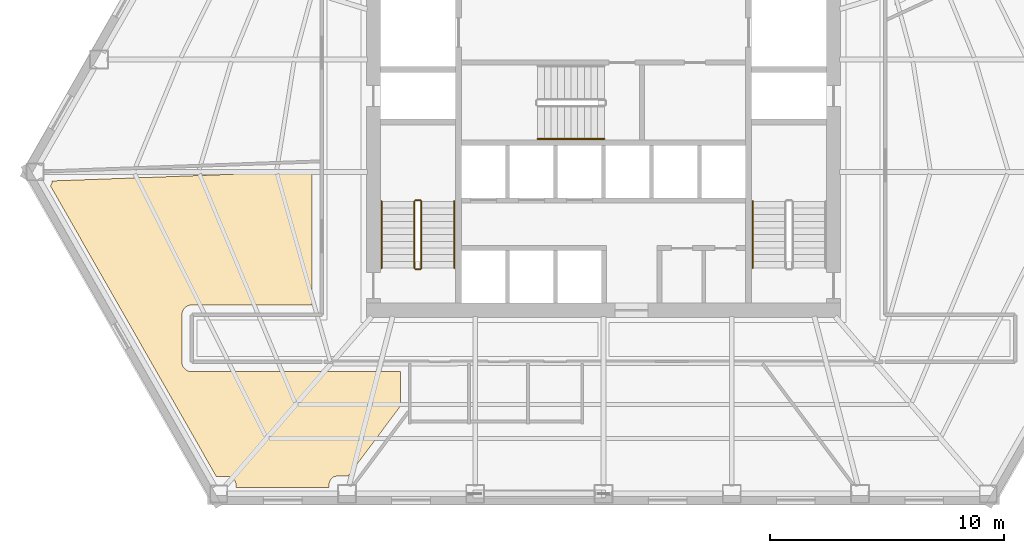
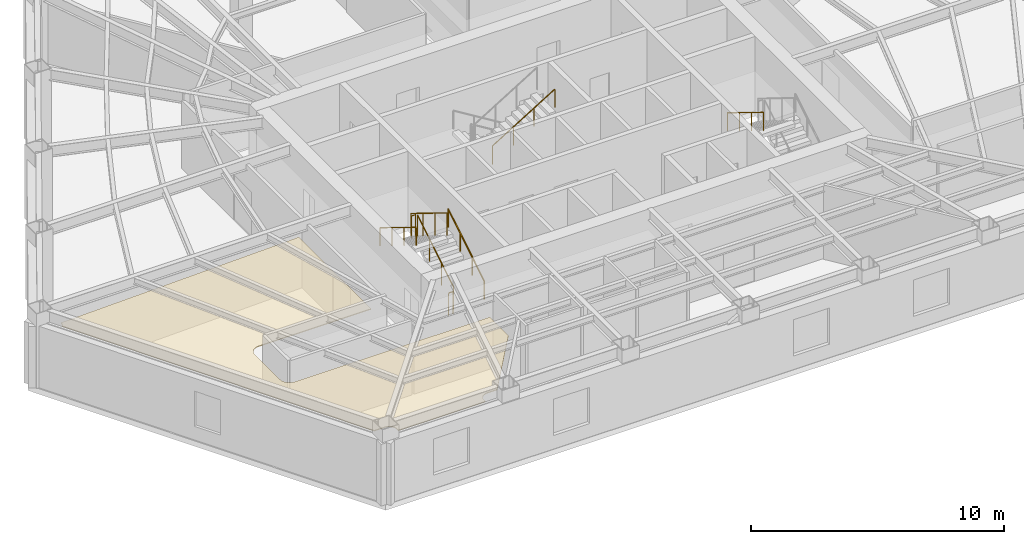
# One storey, part 10 of 12: 8 railings, 1 covering.
"""IFC4 building model written with IfcOpenShell, lengths in metres."""

from ifc_helpers import new_model, si_unit, direction, frame, origin, origin_2d, place, context, subcontext, project, spatial, polyline, circle, outline, extrude, material, layer, layer_set, type_object, element, save


model = new_model("IFC4")

# Units and contexts
model_context = context("Model", 3, precision=1e-05, world=origin(), true_north=direction((0.0, 1.0)))
body_context = subcontext(model_context, "Body", "Model", "MODEL_VIEW")
ifc_project = project(units=[si_unit("LENGTHUNIT", "METRE"), si_unit("AREAUNIT", "SQUARE_METRE"), si_unit("VOLUMEUNIT", "CUBIC_METRE"), si_unit("PLANEANGLEUNIT", "RADIAN"), si_unit("MASSUNIT", "GRAM", prefix="KILO")], contexts=[model_context])

# Site, building, storey
site_placement = place(None, origin())
site = spatial("IfcSite", under=ifc_project, at=site_placement, CompositionType="ELEMENT")
building_placement = place(site_placement, origin())
building = spatial("IfcBuilding", under=site, at=building_placement, Name="Kavelnor Concourse Tower", CompositionType="ELEMENT")
storey_placement = place(building_placement, frame((0.0, 0.0, 21.39990234375)))
storey = spatial("IfcBuildingStorey", under=building, at=storey_placement, Name="L05", CompositionType="ELEMENT", Elevation=21.39990234375)

# Covering
ifc_material_1 = material(Name="Mineral fibre acoustic ceiling tile")
ifc_layer = layer(ifc_material_1, 0.0400390625, Name="Mineral fibre acoustic ceiling tile")
ifc_layer_set = layer_set([ifc_layer], Name="Mineral fibre acoustic ceiling tile")
covering_type = type_object("IfcCoveringType", Name="COV-CEILING-ACOUSTIC", PredefinedType="CEILING", material=ifc_layer_set)
covering_placement = place(storey_placement, frame((0.0, 0.0, 2.75)))
element("IfcCovering", 1, at=covering_placement, inside=storey, type_object=covering_type, Name="L05 Suspended Acoustic Ceiling", PredefinedType="CEILING", context=body_context, shape_type="SweptSolid", body=[
    extrude(outline(polyline([(14.412353515625, 14.6259765625), (14.430419921875, 14.65625), (14.445556640625, 14.688232421875), (14.45751953125, 14.7216796875), (14.466064453125, 14.755859375), (14.47119140625, 14.791015625), (14.47265625, 14.81787109375), (14.47265625, 14.818115234375), (25.5576171875, 15.226318359375), (25.5576171875, 9.5224609375), (20.422119140625, 9.5224609375), (20.388916015625, 9.52099609375), (20.347900390625, 9.514892578125), (20.3076171875, 9.504638671875), (20.2685546875, 9.49072265625), (20.23095703125, 9.472900390625), (20.1953125, 9.45166015625), (20.162109375, 9.427001953125), (20.13134765625, 9.39892578125), (20.103515625, 9.368408203125), (20.07861328125, 9.3349609375), (20.057373046875, 9.29931640625), (20.03955078125, 9.26171875), (20.025634765625, 9.222900390625), (20.015380859375, 9.1826171875), (20.009521484375, 9.1416015625), (20.0078125, 9.1083984375), (20.0078125, 7.091796875), (20.009521484375, 7.05859375), (20.015380859375, 7.017578125), (20.025634765625, 6.977294921875), (20.03955078125, 6.938232421875), (20.057373046875, 6.900634765625), (20.07861328125, 6.864990234375), (20.103515625, 6.831787109375), (20.13134765625, 6.801025390625), (20.162109375, 6.773193359375), (20.1953125, 6.748291015625), (20.23095703125, 6.72705078125), (20.2685546875, 6.709228515625), (20.3076171875, 6.6953125), (20.347900390625, 6.685302734375), (20.388916015625, 6.67919921875), (20.422119140625, 6.677490234375), (25.98828125, 6.677490234375), (26.021484375, 6.67919921875), (26.030029296875, 6.680419921875), (26.03857421875, 6.67919921875), (26.07177734375, 6.677490234375), (29.3349609375, 6.677490234375), (29.3349609375, 5.208740234375), (27.1015625, 2.222900390625), (26.64306640625, 2.222900390625), (26.615966796875, 2.2216796875), (26.5810546875, 2.21630859375), (26.546630859375, 2.207763671875), (26.513427734375, 2.19580078125), (26.4814453125, 2.180908203125), (26.451171875, 2.16259765625), (26.422607421875, 2.1416015625), (26.396484375, 2.11767578125), (26.372802734375, 2.091552734375), (26.3515625, 2.06298828125), (26.33349609375, 2.03271484375), (26.318359375, 2.000732421875), (26.306396484375, 1.967529296875), (26.2978515625, 1.93310546875), (26.29248046875, 1.898193359375), (26.291259765625, 1.87109375), (26.291259765625, 1.742919921875), (22.31689453125, 1.742919921875), (22.31689453125, 1.851318359375), (22.315673828125, 1.878173828125), (22.310302734375, 1.9130859375), (22.3017578125, 1.947509765625), (22.289794921875, 1.980712890625), (22.27490234375, 2.0126953125), (22.256591796875, 2.043212890625), (22.235595703125, 2.071533203125), (22.211669921875, 2.09765625), (22.185546875, 2.12158203125), (22.156982421875, 2.142578125), (22.126708984375, 2.160888671875), (22.0947265625, 2.17578125), (22.0615234375, 2.187744140625), (22.027099609375, 2.1962890625), (21.9921875, 2.20166015625), (21.965087890625, 2.202880859375), (21.476806640625, 2.202880859375), (14.3974609375, 14.606201171875), (14.412353515625, 14.6259765625)])), origin(), (0.0, 0.0, 1.0), 0.0400390625),
])

# Railings
ifc_material_2 = material(Name="Steel Grade 350", Category="steel")
railing_type_1 = type_object("IfcRailingType", Name="RLG-GUARD-1100", PredefinedType="GUARDRAIL", material=ifc_material_2)
railing_1_placement = place(storey_placement, frame((30.22998046875, 11.10009765625, 0.175048828125)))
element("IfcRailing", 2, at=railing_1_placement, inside=storey, type_object=railing_type_1, Name="L05 ST1 stair guard 1", PredefinedType="GUARDRAIL", context=body_context, shape_type="SweptSolid", body=[
    extrude(circle(Radius=0.02392578125, at=origin_2d()), frame((0.0, 0.0, 1.076171875), z_axis=(0.0, 0.852159232446, 0.523282564737), x_axis=(-1.0, 0.0, 0.0)), (0.0, 0.0, 1.0), 3.34423828125),
    extrude(circle(Radius=0.02099609375, at=origin_2d()), origin(), (0.0, 0.0, 1.0), 1.052001953125),
    extrude(circle(Radius=0.02099609375, at=origin_2d()), frame((0.0, 0.949951171875, 0.583251953125)), (0.0, 0.0, 1.0), 1.052001953125),
    extrude(circle(Radius=0.02099609375, at=origin_2d()), frame((0.0, 1.89990234375, 1.166748046875)), (0.0, 0.0, 1.0), 1.052001953125),
    extrude(circle(Radius=0.02099609375, at=origin_2d()), frame((0.0, 2.849853515625, 1.75)), (0.0, 0.0, 1.0), 1.052001953125),
])
railing_2_placement = place(storey_placement, frame((30.179931640625, 14.0, 1.925048828125)))
element("IfcRailing", 3, at=railing_2_placement, inside=storey, type_object=railing_type_1, Name="L05 ST1 stair guard 2", PredefinedType="GUARDRAIL", context=body_context, shape_type="SweptSolid", body=[
    extrude(circle(Radius=0.02392578125, at=origin_2d()), frame((0.0, 0.0, 1.076171875), z_axis=(-1.0, 0.0, 0.0), x_axis=(0.0, -1.0, 0.0)), (0.0, 0.0, 1.0), 0.199951171875),
    extrude(circle(Radius=0.02099609375, at=origin_2d()), origin(), (0.0, 0.0, 1.0), 1.052001953125),
    extrude(circle(Radius=0.02099609375, at=origin_2d()), frame((-0.199951171875, 0.0, 0.0)), (0.0, 0.0, 1.0), 1.052001953125),
])
railing_3_placement = place(storey_placement, frame((29.929931640625, 13.949951171875, 2.10009765625)))
element("IfcRailing", 4, at=railing_3_placement, inside=storey, type_object=railing_type_1, Name="L05 ST1 stair guard 3", PredefinedType="GUARDRAIL", context=body_context, shape_type="SweptSolid", body=[
    extrude(circle(Radius=0.02392578125, at=origin_2d()), frame((0.0, 0.0, 1.076171875), z_axis=(0.0, -0.852159232446, 0.523282564737), x_axis=(1.0, 0.0, 0.0)), (0.0, 0.0, 1.0), 3.34423828125),
    extrude(circle(Radius=0.02099609375, at=origin_2d()), origin(), (0.0, 0.0, 1.0), 1.052001953125),
    extrude(circle(Radius=0.02099609375, at=origin_2d()), frame((0.0, -0.949951171875, 0.583251953125)), (0.0, 0.0, 1.0), 1.052001953125),
    extrude(circle(Radius=0.02099609375, at=origin_2d()), frame((0.0, -1.89990234375, 1.166748046875)), (0.0, 0.0, 1.0), 1.052001953125),
    extrude(circle(Radius=0.02099609375, at=origin_2d()), frame((0.0, -2.849853515625, 1.75)), (0.0, 0.0, 1.0), 1.052001953125),
])
railing_4_placement = place(storey_placement, frame((30.179931640625, 11.050048828125, 0.0)))
element("IfcRailing", 5, at=railing_4_placement, inside=storey, type_object=railing_type_1, Name="L05 ST1 stair guard 4", PredefinedType="GUARDRAIL", context=body_context, shape_type="SweptSolid", body=[
    extrude(circle(Radius=0.02392578125, at=origin_2d()), frame((0.0, 0.0, 1.076171875), z_axis=(-1.0, 0.0, 0.0), x_axis=(0.0, -1.0, 0.0)), (0.0, 0.0, 1.0), 0.199951171875),
    extrude(circle(Radius=0.02099609375, at=origin_2d()), origin(), (0.0, 0.0, 1.0), 1.052001953125),
    extrude(circle(Radius=0.02099609375, at=origin_2d()), frame((-0.199951171875, 0.0, 0.0)), (0.0, 0.0, 1.0), 1.052001953125),
])
railing_type_2 = type_object("IfcRailingType", Name="RLG-HANDRAIL-900", PredefinedType="HANDRAIL", material=ifc_material_2)
railing_5_placement = place(storey_placement, frame((31.6298828125, 11.10009765625, 0.175048828125)))
element("IfcRailing", 6, at=railing_5_placement, inside=storey, type_object=railing_type_2, Name="L05 ST1 stair handrail 1", PredefinedType="HANDRAIL", context=body_context, shape_type="SweptSolid", body=[
    extrude(circle(Radius=0.02392578125, at=origin_2d()), frame((0.0, 0.0, 0.8759765625), z_axis=(0.0, 0.852159232446, 0.523282564737), x_axis=(-1.0, 0.0, 0.0)), (0.0, 0.0, 1.0), 3.34423828125),
    extrude(circle(Radius=0.02099609375, at=origin_2d()), origin(), (0.0, 0.0, 1.0), 0.851806640625),
    extrude(circle(Radius=0.02099609375, at=origin_2d()), frame((0.0, 0.949951171875, 0.583251953125)), (0.0, 0.0, 1.0), 0.851806640625),
    extrude(circle(Radius=0.02099609375, at=origin_2d()), frame((0.0, 1.89990234375, 1.166748046875)), (0.0, 0.0, 1.0), 0.851806640625),
    extrude(circle(Radius=0.02099609375, at=origin_2d()), frame((0.0, 2.849853515625, 1.75)), (0.0, 0.0, 1.0), 0.851806640625),
])
for number, where, name in (
    (7, (28.530029296875, 13.949951171875, 2.10009765625), "L05 ST1 stair handrail 2"),
    (8, (44.3701171875, 13.949951171875, 2.10009765625), "L05 ST2 stair handrail 2"),
):
    element("IfcRailing", number, at=place(storey_placement, frame(where)), inside=storey, type_object=railing_type_2, Name=name, PredefinedType="HANDRAIL", context=body_context, shape_type="SweptSolid", body=[
        extrude(circle(Radius=0.02392578125, at=origin_2d()), frame((0.0, 0.0, 0.8759765625), z_axis=(0.0, -0.852159232446, 0.523282564737), x_axis=(1.0, 0.0, 0.0)), (0.0, 0.0, 1.0), 3.34423828125),
        extrude(circle(Radius=0.02099609375, at=origin_2d()), origin(), (0.0, 0.0, 1.0), 0.851806640625),
        extrude(circle(Radius=0.02099609375, at=origin_2d()), frame((0.0, -0.949951171875, 0.583251953125)), (0.0, 0.0, 1.0), 0.851806640625),
        extrude(circle(Radius=0.02099609375, at=origin_2d()), frame((0.0, -1.89990234375, 1.166748046875)), (0.0, 0.0, 1.0), 0.851806640625),
        extrude(circle(Radius=0.02099609375, at=origin_2d()), frame((0.0, -2.849853515625, 1.75)), (0.0, 0.0, 1.0), 0.851806640625),
    ])
railing_6_placement = place(storey_placement, frame((35.18994140625, 16.610107421875, 2.10009765625)))
element("IfcRailing", 9, at=railing_6_placement, inside=storey, type_object=railing_type_2, Name="L05 ST3 stair handrail 2", PredefinedType="HANDRAIL", context=body_context, shape_type="SweptSolid", body=[
    extrude(circle(Radius=0.02392578125, at=origin_2d()), frame((0.0, 0.0, 0.8759765625), z_axis=(0.852179220489, 0.0, 0.52325001306), x_axis=(0.0, 1.0, 0.0)), (0.0, 0.0, 1.0), 3.344482421875),
    extrude(circle(Radius=0.02099609375, at=origin_2d()), origin(), (0.0, 0.0, 1.0), 0.851806640625),
    extrude(circle(Radius=0.02099609375, at=origin_2d()), frame((0.949951171875, 0.0, 0.583251953125)), (0.0, 0.0, 1.0), 0.851806640625),
    extrude(circle(Radius=0.02099609375, at=origin_2d()), frame((1.900146484375, 0.0, 1.166748046875)), (0.0, 0.0, 1.0), 0.851806640625),
    extrude(circle(Radius=0.02099609375, at=origin_2d()), frame((2.85009765625, 0.0, 1.75)), (0.0, 0.0, 1.0), 0.851806640625),
])

save(model, "model.ifc")
